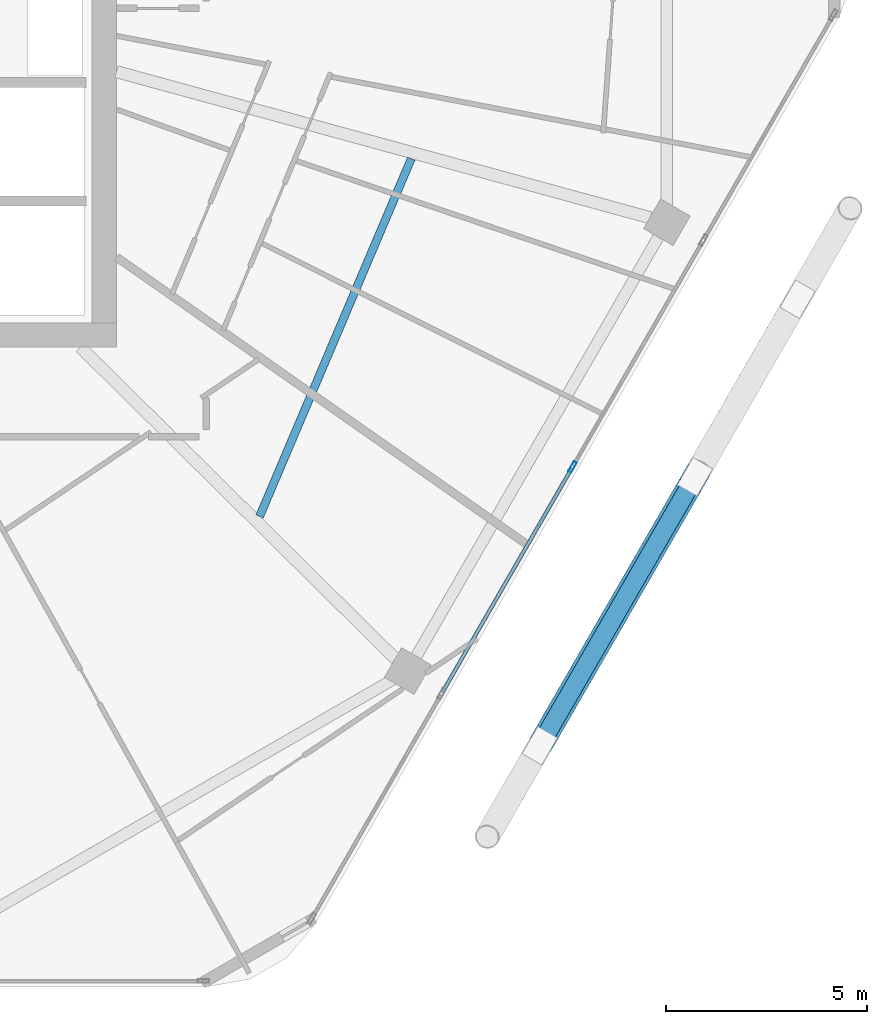
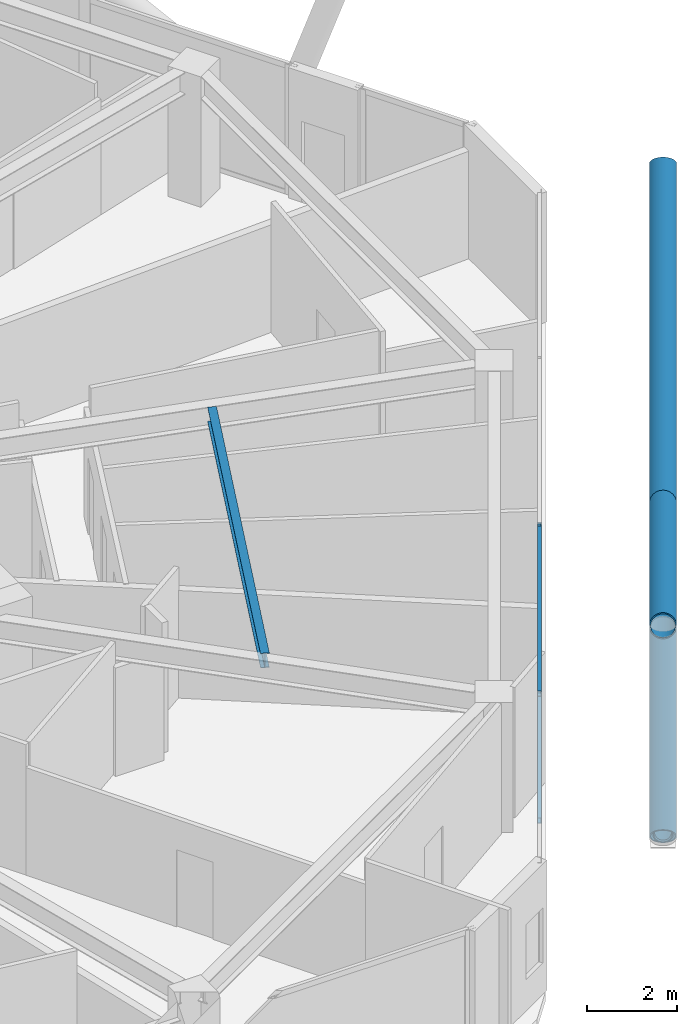
# One storey, part 9 of 28: 6 members, 1 beam, 1 element without a shape of its own.
"""IFC4 building model written with IfcOpenShell, lengths in metres."""

from ifc_helpers import new_model, si_unit, direction, frame, origin, origin_2d, place, context, subcontext, project, spatial, hollow_rectangle, hollow_circle, i_section, extrude, material, material_profile, profile_set, type_object, element, aggregate, save


model = new_model("IFC4")

# Units and contexts
model_context = context("Model", 3, precision=1e-05, world=origin(), true_north=direction((0.0, 1.0)))
body_context = subcontext(model_context, "Body", "Model", "MODEL_VIEW")
ifc_project = project(units=[si_unit("LENGTHUNIT", "METRE"), si_unit("AREAUNIT", "SQUARE_METRE"), si_unit("VOLUMEUNIT", "CUBIC_METRE"), si_unit("PLANEANGLEUNIT", "RADIAN"), si_unit("MASSUNIT", "GRAM", prefix="KILO")], contexts=[model_context])

# Site, building, storey
site_placement = place(None, origin())
site = spatial("IfcSite", under=ifc_project, at=site_placement, CompositionType="ELEMENT")
building_placement = place(site_placement, origin())
building = spatial("IfcBuilding", under=site, at=building_placement, Name="Zuhravey Tower", CompositionType="ELEMENT")
storey_placement = place(building_placement, frame((0.0, 0.0, 284.39990234375)))
storey = spatial("IfcBuildingStorey", under=building, at=storey_placement, Name="L72", CompositionType="ELEMENT", Elevation=284.39990234375)

# Curtain wall, members
ifc_material_1 = material(Name="Thermally broken anodised aluminium", Category="aluminium")
curtain_wall_type = type_object("IfcCurtainWallType", Name="Zone 3-4 High-Rise Curtain Wall CW4", PredefinedType="NOTDEFINED", material=ifc_material_1)
curtain_wall_placement = place(storey_placement, origin())
curtain_wall = element("IfcCurtainWall", 1, at=curtain_wall_placement, inside=storey, type_object=curtain_wall_type, Name="L72 CW4 CW-L72-F6-1", PredefinedType="NOTDEFINED")
ifc_material_2 = material(Name="Anodised aluminium", Category="aluminium")
ifc_material_profile_1 = material_profile(ifc_material_2, hollow_rectangle(XDim=0.090087890625, YDim=0.284912109375, WallThickness=0.0048828125, at=origin_2d()), Name="ALU-RHS-90x285x5")
ifc_profile_set_1 = profile_set([ifc_material_profile_1], Name="Anodised aluminium")
member_type_1 = type_object("IfcMemberType", Name="Curtain-Wall Mullion 90x180", PredefinedType="MULLION", material=ifc_profile_set_1)
member_1_placement = place(storey_placement, frame((58.138671875, 19.21826171875, 0.0), z_axis=(0.0, 0.0, 1.0), x_axis=(0.866024851021, -0.500000957414, 0.0)))
member_1 = element("IfcMember", 2, at=member_1_placement, type_object=member_type_1, Name="CW4 mullion 3", PredefinedType="MULLION", context=body_context, shape_type="SweptSolid", body=[
    extrude(hollow_rectangle(XDim=0.090087890625, YDim=0.284912109375, WallThickness=0.0048828125, at=origin_2d()), origin(), (0.0, 0.0, 1.0), 3.550048828125),
])
ifc_material_profile_2 = material_profile(ifc_material_2, hollow_rectangle(XDim=0.090087890625, YDim=0.14990234375, WallThickness=0.0048828125, at=origin_2d()), Name="ALU-RHS-90x150x5")
ifc_profile_set_2 = profile_set([ifc_material_profile_2], Name="Anodised aluminium")
member_type_2 = type_object("IfcMemberType", Name="Curtain-Wall Transom 90x150", PredefinedType="USERDEFINED", material=ifc_profile_set_2)
member_2_placement = place(storey_placement, frame((58.1162109375, 19.17919921875, 0.045166015625), z_axis=(-0.500014493347, -0.866017035885, 0.0), x_axis=(0.866017035885, -0.500014493347, 0.0)))
member_2 = element("IfcMember", 3, at=member_2_placement, type_object=member_type_2, Name="CW4 transom 3.1", ObjectType="TRANSOM", PredefinedType="USERDEFINED", context=body_context, shape_type="SweptSolid", body=[
    extrude(hollow_rectangle(XDim=0.090087890625, YDim=0.14990234375, WallThickness=0.0048828125, at=origin_2d()), origin(), (0.0, 0.0, 1.0), 6.416259765625),
])
member_3_placement = place(storey_placement, frame((58.1162109375, 19.17919921875, 3.505126953125), z_axis=(-0.500014493347, -0.866017035885, 0.0), x_axis=(0.866017035885, -0.500014493347, 0.0)))
member_3 = element("IfcMember", 4, at=member_3_placement, type_object=member_type_2, Name="CW4 transom 3.2", ObjectType="TRANSOM", PredefinedType="USERDEFINED", context=body_context, shape_type="SweptSolid", body=[
    extrude(hollow_rectangle(XDim=0.090087890625, YDim=0.14990234375, WallThickness=0.0048828125, at=origin_2d()), origin(), (0.0, 0.0, 1.0), 6.416259765625),
])
aggregate(curtain_wall, [member_1, member_2, member_3])

# Members
ifc_material_3 = material(Name="Steel SM355", Category="steel")
ifc_material_profile_3 = material_profile(ifc_material_3, hollow_circle(Radius=0.228515625, WallThickness=0.02197265625, at=origin_2d()), Name="CHS-457.2x22")
ifc_profile_set_3 = profile_set([ifc_material_profile_3], Name="Steel SM355")
member_type_3 = type_object("IfcMemberType", Name="Exoskeleton Ring Tie CHS457x22", PredefinedType="CHORD", material=ifc_profile_set_3)
member_4_placement = place(storey_placement, frame((57.39501953125, 12.41015625, -0.4638671875), z_axis=(0.50000793057, 0.866020825019, 0.0), x_axis=(-0.866020825019, 0.50000793057, 0.0)))
element("IfcMember", 5, at=member_4_placement, inside=storey, type_object=member_type_3, Name="L72 Exoskeleton Face 6 Tie EXR1", PredefinedType="CHORD", context=body_context, shape_type="SweptSolid", body=[
    extrude(hollow_circle(Radius=0.228515625, WallThickness=0.02197265625, at=origin_2d()), origin(), (0.0, 0.0, 1.0), 12.535400390625),
])
ifc_material_profile_4 = material_profile(ifc_material_3, hollow_circle(Radius=0.3046875, WallThickness=0.028076171875, at=origin_2d()), Name="CHS-609.6x28")
ifc_profile_set_4 = profile_set([ifc_material_profile_4], Name="Steel SM355")
member_type_4 = type_object("IfcMemberType", Name="Exoskeleton Zone 3 Diagrid CHS610x28", PredefinedType="BRACE", material=ifc_profile_set_4)
member_5_placement = place(storey_placement, frame((57.34326171875, 12.320556640625, -0.44580078125), z_axis=(0.44858715889, 0.776961798354, 0.441701171357), x_axis=(-0.866021515814, 0.500006734102, 0.0)))
element("IfcMember", 6, at=member_5_placement, inside=storey, type_object=member_type_4, Name="L72 Face 6 Diagrid Brace 2", PredefinedType="BRACE", context=body_context, shape_type="SweptSolid", body=[
    extrude(hollow_circle(Radius=0.3046875, WallThickness=0.028076171875, at=origin_2d()), origin(), (0.0, 0.0, 1.0), 17.12451171875),
])
member_6_placement = place(storey_placement, frame((61.0458984375, 18.7333984375, 3.437744140625), z_axis=(-0.469306285882, -0.812862261066, 0.344973266451), x_axis=(0.866025385035, -0.500000032475, 0.0)))
element("IfcMember", 7, at=member_6_placement, inside=storey, type_object=member_type_4, Name="L72 Face 6 Split Diagrid Brace 3B", PredefinedType="BRACE", context=body_context, shape_type="SweptSolid", body=[
    extrude(hollow_circle(Radius=0.3046875, WallThickness=0.028076171875, at=origin_2d()), origin(), (0.0, 0.0, 1.0), 10.679931640625),
])

# Beam
ifc_material_profile_5 = material_profile(ifc_material_3, i_section(OverallWidth=0.199951171875, OverallDepth=0.39990234375, WebThickness=0.008056640625, FlangeThickness=0.012939453125, at=origin_2d()), Name="H-400x200x8x13")
ifc_profile_set_5 = profile_set([ifc_material_profile_5], Name="Steel SM355")
beam_type = type_object("IfcBeamType", Name="Secondary Floor Joist H400x200", PredefinedType="JOIST", material=ifc_profile_set_5)
beam_placement = place(storey_placement, frame((50.36083984375, 17.990966796875, 3.35009765625), z_axis=(0.390413493754, 0.920639616731, 0.0), x_axis=(-0.920639616731, 0.390413493754, 0.0)))
element("IfcBeam", 8, at=beam_placement, inside=storey, type_object=beam_type, Name="L72 SJ2 BM-L72-SJ-11-1", PredefinedType="JOIST", context=body_context, shape_type="SweptSolid", body=[
    extrude(i_section(OverallWidth=0.199951171875, OverallDepth=0.39990234375, WebThickness=0.008056640625, FlangeThickness=0.012939453125, at=origin_2d()), origin(), (0.0, 0.0, 1.0), 9.656494140625),
])

save(model, "model.ifc")
